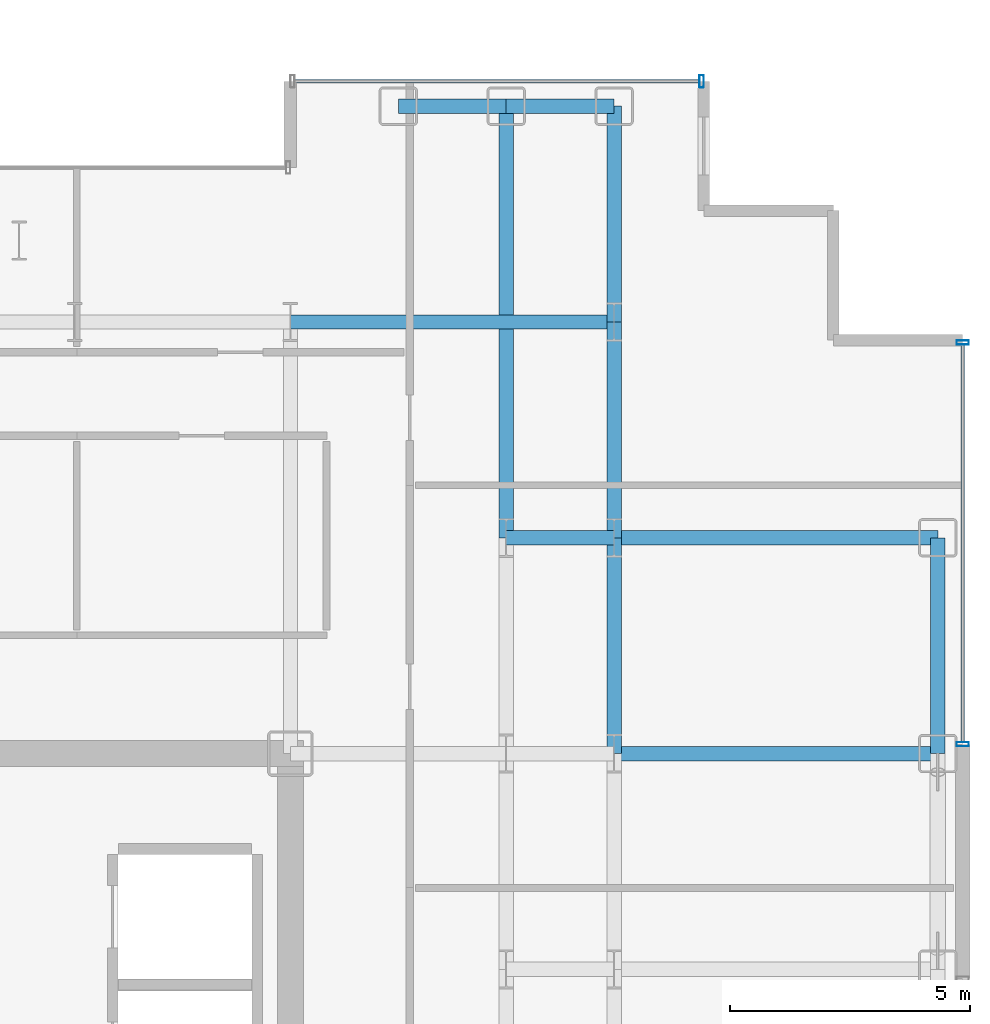
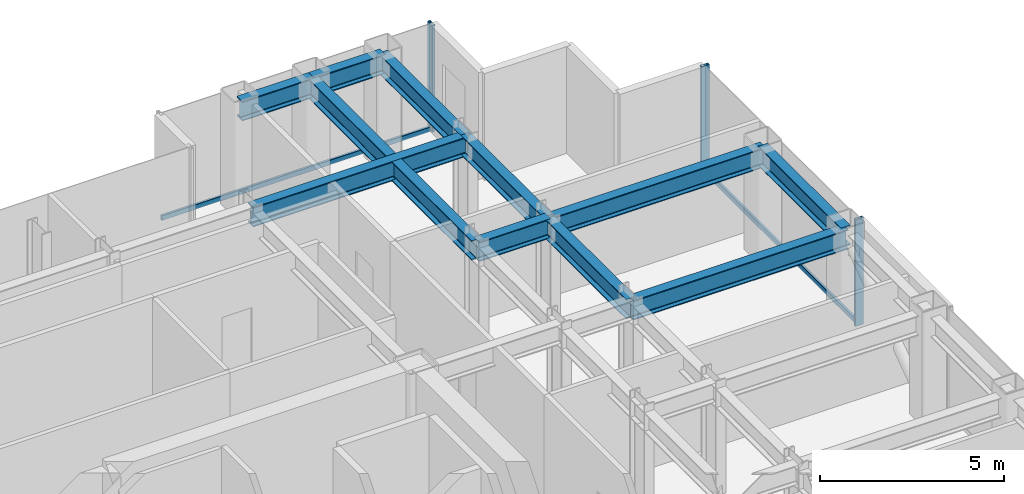
# One storey, part 17 of 26: 11 beams, 5 members, 2 elements without a shape of their own.
"""IFC4 building model written with IfcOpenShell, lengths in metres."""

from ifc_helpers import new_model, si_unit, direction, frame, origin, origin_2d, place, context, subcontext, project, spatial, hollow_rectangle, i_section, extrude, source, transform, mapped, material, layer, layer_set, material_profile, profile_set, type_object, element, aggregate, save


model = new_model("IFC4")

# Units and contexts
model_context = context("Model", 3, precision=1e-05, world=origin(), true_north=direction((0.0, 1.0)))
body_context = subcontext(model_context, "Body", "Model", "MODEL_VIEW")
ifc_project = project(units=[si_unit("LENGTHUNIT", "METRE"), si_unit("AREAUNIT", "SQUARE_METRE"), si_unit("VOLUMEUNIT", "CUBIC_METRE"), si_unit("PLANEANGLEUNIT", "RADIAN"), si_unit("MASSUNIT", "GRAM", prefix="KILO")], contexts=[model_context])

# Site, building, storey
site_placement = place(None, origin())
site = spatial("IfcSite", under=ifc_project, at=site_placement, CompositionType="ELEMENT")
building_placement = place(site_placement, origin())
building = spatial("IfcBuilding", under=site, at=building_placement, Name="Nefas-Gora Pilgrimage Tower", CompositionType="ELEMENT")
storey_placement = place(building_placement, frame((0.0, 0.0, 160.199951171875)))
storey = spatial("IfcBuildingStorey", under=building, at=storey_placement, Name="L39", CompositionType="ELEMENT", Elevation=160.199951171875)

# Beams
ifc_material_1 = material(Name="Steel S355", Category="steel")
ifc_material_profile_1 = material_profile(ifc_material_1, i_section(OverallWidth=0.300048828125, OverallDepth=0.64990234375, WebThickness=0.01611328125, FlangeThickness=0.031005859375, FilletRadius=0.027099609375, at=origin_2d()), Name="HEB 650")
ifc_profile_set_1 = profile_set([ifc_material_profile_1], Name="Steel S355")
beam_type_1 = type_object("IfcBeamType", Name="BM-SPN-HEB500", PredefinedType="SPANDREL", material=ifc_profile_set_1)
shared_shape_1 = source(origin(), body_context, "Body", "SweptSolid", [
    extrude(i_section(OverallWidth=0.300048828125, OverallDepth=0.64990234375, WebThickness=0.01611328125, FlangeThickness=0.031005859375, FilletRadius=0.027099609375, at=origin_2d()), origin(), (0.0, 0.0, 1.0), 4.5),
])
beam_1_placement = place(storey_placement, frame((24.75, 9.0, 3.22509765625), z_axis=(0.0, 1.0, 0.0), x_axis=(-1.0, 0.0, 0.0)))
element("IfcBeam", 1, at=beam_1_placement, inside=storey, type_object=beam_type_1, Name="L39 SP-02 beam", PredefinedType="SPANDREL", context=body_context, shape_type="MappedRepresentation", body=[
    mapped(shared_shape_1, transform((0.0, 0.0, 0.0), x_axis=(1.0, 0.0, 0.0), y_axis=(0.0, 1.0, 0.0), z_axis=(0.0, 0.0, 1.0), scale=1.0)),
])
ifc_material_profile_2 = material_profile(ifc_material_1, i_section(OverallWidth=0.300048828125, OverallDepth=0.64990234375, WebThickness=0.01611328125, FlangeThickness=0.031005859375, FilletRadius=0.027099609375, at=origin_2d()), Name="HEB 650")
ifc_profile_set_2 = profile_set([ifc_material_profile_2], Name="Steel S355")
beam_type_2 = type_object("IfcBeamType", Name="BM-GIR-HEB650", PredefinedType="BEAM", material=ifc_profile_set_2)
shared_shape_2 = source(origin(), body_context, "Body", "SweptSolid", [
    extrude(i_section(OverallWidth=0.300048828125, OverallDepth=0.64990234375, WebThickness=0.01611328125, FlangeThickness=0.031005859375, FilletRadius=0.027099609375, at=origin_2d()), origin(), (0.0, 0.0, 1.0), 9.0),
])
beam_2_placement = place(storey_placement, frame((15.75, 13.5, 3.22509765625), z_axis=(0.0, 1.0, 0.0), x_axis=(-1.0, 0.0, 0.0)))
element("IfcBeam", 2, at=beam_2_placement, inside=storey, type_object=beam_type_2, Name="L39 G-03 beam", PredefinedType="BEAM", context=body_context, shape_type="MappedRepresentation", body=[
    mapped(shared_shape_2, transform((0.0, 0.0, 0.0), x_axis=(1.0, 0.0, 0.0), y_axis=(0.0, 1.0, 0.0), z_axis=(0.0, 0.0, 1.0), scale=1.0)),
])
shared_shape_3 = source(origin(), body_context, "Body", "SweptSolid", [
    extrude(i_section(OverallWidth=0.300048828125, OverallDepth=0.64990234375, WebThickness=0.01611328125, FlangeThickness=0.031005859375, FilletRadius=0.027099609375, at=origin_2d()), origin(), (0.0, 0.0, 1.0), 4.5),
])
for number, where, z_axis, x_axis, name in (
    (3, (18.0, 9.0, 3.22509765625), (0.0, 1.0, 0.0), (-1.0, 0.0, 0.0), "L39 G-03 beam"),
    (4, (18.0, 13.5, 3.22509765625), (0.0, 1.0, 0.0), (-1.0, 0.0, 0.0), "L39 G-03 beam"),
    (5, (18.0, 18.0, 3.22509765625), (0.0, 1.0, 0.0), (-1.0, 0.0, 0.0), "L39 G-03 beam"),
):
    element("IfcBeam", number, at=place(storey_placement, frame(where, z_axis=z_axis, x_axis=x_axis)), inside=storey, type_object=beam_type_2, Name=name, PredefinedType="BEAM", context=body_context, shape_type="MappedRepresentation", body=[
        mapped(shared_shape_3, transform((0.0, 0.0, 0.0), x_axis=(1.0, 0.0, 0.0), y_axis=(0.0, 1.0, 0.0), z_axis=(0.0, 0.0, 1.0), scale=1.0)),
    ])
shared_shape_4 = source(origin(), body_context, "Body", "SweptSolid", [
    extrude(i_section(OverallWidth=0.300048828125, OverallDepth=0.64990234375, WebThickness=0.01611328125, FlangeThickness=0.031005859375, FilletRadius=0.027099609375, at=origin_2d()), origin(), (0.0, 0.0, 1.0), 6.75),
])
for number, where, z_axis, x_axis, name in (
    (6, (11.25, 18.0, 3.22509765625), (1.0, 0.0, 0.0), (0.0, 1.0, 0.0), "L39 G-03 beam"),
    (7, (18.0, 9.0, 3.22509765625), (1.0, 0.0, 0.0), (0.0, 1.0, 0.0), "L39 G-03 beam"),
    (8, (18.0, 13.5, 3.22509765625), (1.0, 0.0, 0.0), (0.0, 1.0, 0.0), "L39 G-03 beam"),
):
    element("IfcBeam", number, at=place(storey_placement, frame(where, z_axis=z_axis, x_axis=x_axis)), inside=storey, type_object=beam_type_2, Name=name, PredefinedType="BEAM", context=body_context, shape_type="MappedRepresentation", body=[
        mapped(shared_shape_4, transform((0.0, 0.0, 0.0), x_axis=(1.0, 0.0, 0.0), y_axis=(0.0, 1.0, 0.0), z_axis=(0.0, 0.0, 1.0), scale=1.0)),
    ])
shared_shape_5 = source(origin(), body_context, "Body", "SweptSolid", [
    extrude(i_section(OverallWidth=0.300048828125, OverallDepth=0.64990234375, WebThickness=0.01611328125, FlangeThickness=0.031005859375, FilletRadius=0.027099609375, at=origin_2d()), origin(), (0.0, 0.0, 1.0), 2.25),
])
for number, where, z_axis, x_axis, name in (
    (9, (13.5, 22.5, 3.22509765625), (1.0, 0.0, 0.0), (0.0, 1.0, 0.0), "L39 SP-02 beam"),
    (10, (15.75, 22.5, 3.22509765625), (1.0, 0.0, 0.0), (0.0, 1.0, 0.0), "L39 SP-02 beam"),
):
    element("IfcBeam", number, at=place(storey_placement, frame(where, z_axis=z_axis, x_axis=x_axis)), inside=storey, type_object=beam_type_1, Name=name, PredefinedType="SPANDREL", context=body_context, shape_type="MappedRepresentation", body=[
        mapped(shared_shape_5, transform((0.0, 0.0, 0.0), x_axis=(1.0, 0.0, 0.0), y_axis=(0.0, 1.0, 0.0), z_axis=(0.0, 0.0, 1.0), scale=1.0)),
    ])
shared_shape_6 = source(origin(), body_context, "Body", "SweptSolid", [
    extrude(i_section(OverallWidth=0.300048828125, OverallDepth=0.64990234375, WebThickness=0.01611328125, FlangeThickness=0.031005859375, FilletRadius=0.027099609375, at=origin_2d()), origin(), (0.0, 0.0, 1.0), 2.25),
])
beam_3_placement = place(storey_placement, frame((15.75, 13.5, 3.22509765625), z_axis=(1.0, 0.0, 0.0), x_axis=(0.0, 1.0, 0.0)))
element("IfcBeam", 11, at=beam_3_placement, inside=storey, type_object=beam_type_2, Name="L39 G-03 beam", PredefinedType="BEAM", context=body_context, shape_type="MappedRepresentation", body=[
    mapped(shared_shape_6, transform((0.0, 0.0, 0.0), x_axis=(1.0, 0.0, 0.0), y_axis=(0.0, 1.0, 0.0), z_axis=(0.0, 0.0, 1.0), scale=1.0)),
])

# Curtain wall, members
ifc_material_2 = material(Name="Dark ceramic-fritted solar-control aluminium-glass curtain wall", Category="aluminium")
ifc_layer = layer(ifc_material_2, 0.219970703125)
ifc_layer_set = layer_set([ifc_layer], Name="Dark ceramic-fritted solar-control aluminium-glass curtain wall")
curtain_wall_type = type_object("IfcCurtainWallType", Name="CW-SYS-3", PredefinedType="NOTDEFINED", material=ifc_layer_set)
curtain_wall_1_placement = place(storey_placement, origin())
curtain_wall_1 = element("IfcCurtainWall", 12, at=curtain_wall_1_placement, inside=storey, type_object=curtain_wall_type, Name="L39 Unitised Curtain Wall CW3", PredefinedType="NOTDEFINED")
ifc_material_3 = material(Name="Anodised architectural aluminium", Category="aluminium")
ifc_material_profile_3 = material_profile(ifc_material_3, hollow_rectangle(XDim=0.090087890625, YDim=0.260009765625, WallThickness=0.006103515625, InnerFilletRadius=0.006103515625, OuterFilletRadius=0.011962890625, at=origin_2d()), Name="ALU MULLION 90x260")
ifc_profile_set_3 = profile_set([ifc_material_profile_3], Name="Anodised architectural aluminium")
member_type_1 = type_object("IfcMemberType", Name="CWM-MUL-3", PredefinedType="MULLION", material=ifc_profile_set_3)
shared_shape_7 = source(origin(), body_context, "Body", "SweptSolid", [
    extrude(hollow_rectangle(XDim=0.090087890625, YDim=0.260009765625, WallThickness=0.006103515625, InnerFilletRadius=0.006103515625, OuterFilletRadius=0.011962890625, at=origin_2d()), origin(), (0.0, 0.0, 1.0), 3.550048828125),
])
member_1_placement = place(storey_placement, frame((25.27001953125, 9.195068359375, 0.0), z_axis=(0.0, 0.0, 1.0), x_axis=(0.0, 1.0, 0.0)))
member_1 = element("IfcMember", 13, at=member_1_placement, type_object=member_type_1, Name="CW3 Mullion 1", PredefinedType="MULLION", context=body_context, shape_type="MappedRepresentation", body=[
    mapped(shared_shape_7, transform((0.0, 0.0, 0.0), x_axis=(1.0, 0.0, 0.0), y_axis=(0.0, 1.0, 0.0), z_axis=(0.0, 0.0, 1.0), scale=1.0)),
])
member_2_placement = place(storey_placement, frame((25.27001953125, 17.574951171875, 0.0), z_axis=(0.0, 0.0, 1.0), x_axis=(0.0, 1.0, 0.0)))
member_2 = element("IfcMember", 14, at=member_2_placement, type_object=member_type_1, Name="CW3 Mullion 2", PredefinedType="MULLION", context=body_context, shape_type="MappedRepresentation", body=[
    mapped(shared_shape_7, transform((0.0, 0.0, 0.0), x_axis=(1.0, 0.0, 0.0), y_axis=(0.0, 1.0, 0.0), z_axis=(0.0, 0.0, 1.0), scale=1.0)),
])

curtain_wall_2_placement = place(storey_placement, origin())
curtain_wall_2 = element("IfcCurtainWall", 15, at=curtain_wall_2_placement, inside=storey, type_object=curtain_wall_type, Name="L39 Unitised Curtain Wall CW3", PredefinedType="NOTDEFINED")
member_3_placement = place(storey_placement, frame((19.824951171875, 23.02001953125, 0.0), z_axis=(0.0, 0.0, 1.0), x_axis=(-1.0, 0.0, 0.0)))
member_3 = element("IfcMember", 16, at=member_3_placement, type_object=member_type_1, Name="CW3 Mullion 1", PredefinedType="MULLION", context=body_context, shape_type="MappedRepresentation", body=[
    mapped(shared_shape_7, transform((0.0, 0.0, 0.0), x_axis=(1.0, 0.0, 0.0), y_axis=(0.0, 1.0, 0.0), z_axis=(0.0, 0.0, 1.0), scale=1.0)),
])
ifc_material_profile_4 = material_profile(ifc_material_3, hollow_rectangle(XDim=0.080078125, YDim=0.159912109375, WallThickness=0.00439453125, InnerFilletRadius=0.00439453125, OuterFilletRadius=0.009033203125, at=origin_2d()), Name="ALU TRANSOM 80x160")
ifc_profile_set_4 = profile_set([ifc_material_profile_4], Name="Anodised architectural aluminium")
member_type_2 = type_object("IfcMemberType", Name="CWM-TRN-3", PredefinedType="USERDEFINED", material=ifc_profile_set_4)
shared_shape_8 = source(origin(), body_context, "Body", "SweptSolid", [
    extrude(hollow_rectangle(XDim=0.080078125, YDim=0.159912109375, WallThickness=0.00439453125, InnerFilletRadius=0.00439453125, OuterFilletRadius=0.009033203125, at=origin_2d()), origin(), (0.0, 0.0, 1.0), 8.43994140625),
])
member_4_placement = place(storey_placement, frame((19.780029296875, 23.02001953125, 0.050048828125), z_axis=(-1.0, 0.0, 0.0), x_axis=(0.0, -1.0, 0.0)))
member_4 = element("IfcMember", 17, at=member_4_placement, type_object=member_type_2, Name="CW3 Spandrel Transom", ObjectType="TRANSOM", PredefinedType="USERDEFINED", context=body_context, shape_type="MappedRepresentation", body=[
    mapped(shared_shape_8, transform((0.0, 0.0, 0.0), x_axis=(1.0, 0.0, 0.0), y_axis=(0.0, 1.0, 0.0), z_axis=(0.0, 0.0, 1.0), scale=1.0)),
])
aggregate(curtain_wall_2, [member_3, member_4])

# Member
shared_shape_9 = source(origin(), body_context, "Body", "SweptSolid", [
    extrude(hollow_rectangle(XDim=0.080078125, YDim=0.159912109375, WallThickness=0.00439453125, InnerFilletRadius=0.00439453125, OuterFilletRadius=0.009033203125, at=origin_2d()), origin(), (0.0, 0.0, 1.0), 8.2900390625),
])
member_5_placement = place(storey_placement, frame((25.27001953125, 9.239990234375, 0.050048828125), z_axis=(0.0, 1.0, 0.0), x_axis=(-1.0, 0.0, 0.0)))
member_5 = element("IfcMember", 18, at=member_5_placement, type_object=member_type_2, Name="CW3 Spandrel Transom", ObjectType="TRANSOM", PredefinedType="USERDEFINED", context=body_context, shape_type="MappedRepresentation", body=[
    mapped(shared_shape_9, transform((0.0, 0.0, 0.0), x_axis=(1.0, 0.0, 0.0), y_axis=(0.0, 1.0, 0.0), z_axis=(0.0, 0.0, 1.0), scale=1.0)),
])

aggregate(curtain_wall_1, [member_1, member_2, member_5])

save(model, "model.ifc")
